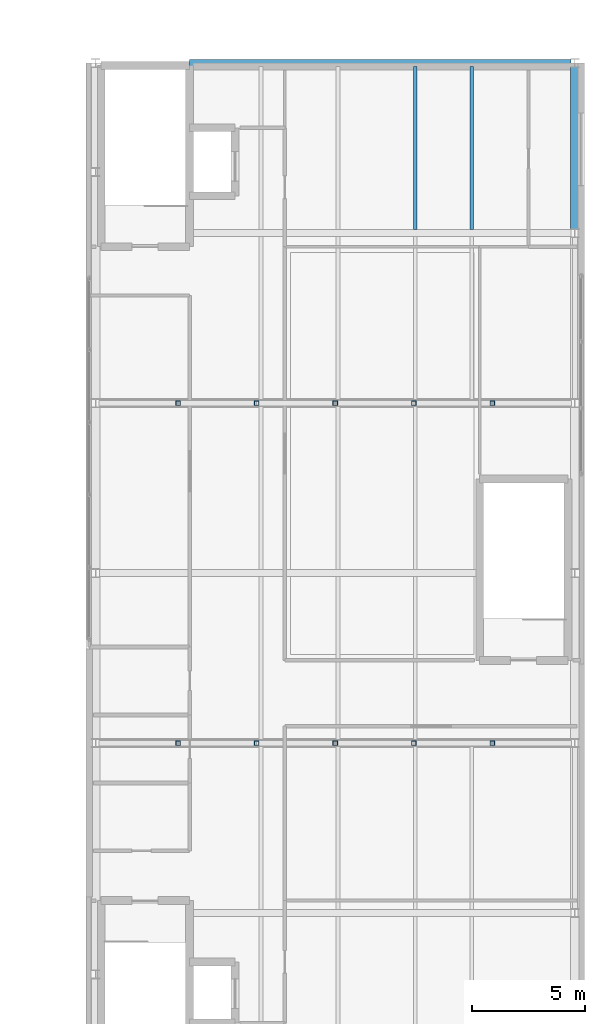
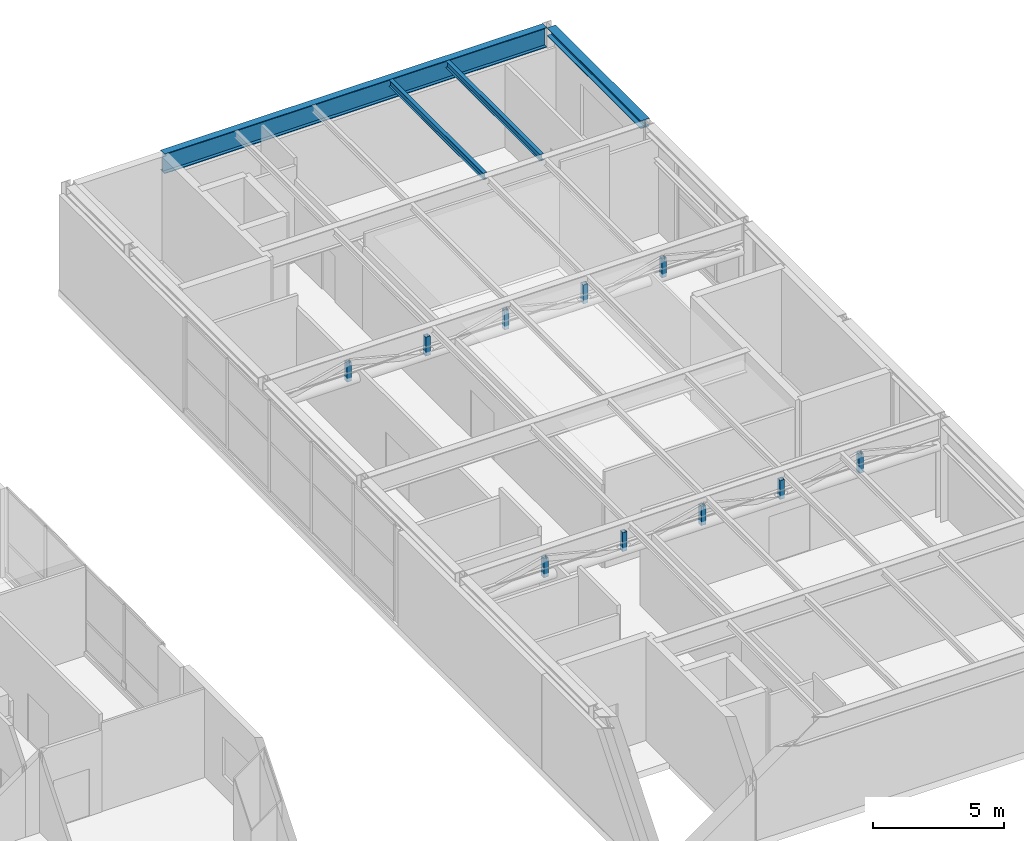
# One storey, part 18 of 27: 10 members, 4 beams.
"""IFC4 building model written with IfcOpenShell, lengths in metres."""

from ifc_helpers import new_model, si_unit, direction, frame, origin, origin_2d, place, context, subcontext, project, spatial, hollow_rectangle, i_section, extrude, material, material_profile, profile_set, type_object, element, save


model = new_model("IFC4")

# Units and contexts
model_context = context("Model", 3, precision=1e-05, world=origin(), true_north=direction((0.0, 1.0)))
body_context = subcontext(model_context, "Body", "Model", "MODEL_VIEW")
ifc_project = project(units=[si_unit("LENGTHUNIT", "METRE"), si_unit("AREAUNIT", "SQUARE_METRE"), si_unit("VOLUMEUNIT", "CUBIC_METRE"), si_unit("PLANEANGLEUNIT", "RADIAN"), si_unit("MASSUNIT", "GRAM", prefix="KILO")], contexts=[model_context])

# Site, building, storey
site_placement = place(None, origin())
site = spatial("IfcSite", under=ifc_project, at=site_placement, CompositionType="ELEMENT")
building_placement = place(site_placement, origin())
building = spatial("IfcBuilding", under=site, at=building_placement, Name="Mersakhor Tower and Convention Hall", CompositionType="ELEMENT")
storey_placement = place(building_placement, frame((0.0, 0.0, 14.39990234375)))
storey = spatial("IfcBuildingStorey", under=building, at=storey_placement, Name="L03", CompositionType="ELEMENT", Elevation=14.39990234375)

# Beams
ifc_material_1 = material(Name="Steel S355", Category="steel")
ifc_material_profile_1 = material_profile(ifc_material_1, i_section(OverallWidth=0.165771484375, OverallDepth=0.306640625, WebThickness=0.006591796875, FlangeThickness=0.01171875, at=origin_2d()), Name="UB 305x165x46")
ifc_profile_set_1 = profile_set([ifc_material_profile_1], Name="Steel S355")
beam_type_1 = type_object("IfcBeamType", Name="BM-JST-305", PredefinedType="JOIST", material=ifc_profile_set_1)
for number, where, z_axis, x_axis, name in (
    (1, (69.60009765625, 40.90380859375, 4.646728515625), (0.0, 1.0, 0.0), (-1.0, 0.0, 0.0), "Convention L03 Composite Floor Joist CJ-6-69"),
    (2, (72.10009765625, 40.90380859375, 4.646728515625), (0.0, 1.0, 0.0), (-1.0, 0.0, 0.0), "Convention L03 Composite Floor Joist CJ-6-72"),
):
    element("IfcBeam", number, at=place(storey_placement, frame(where, z_axis=z_axis, x_axis=x_axis)), inside=storey, type_object=beam_type_1, Name=name, PredefinedType="JOIST", context=body_context, shape_type="SweptSolid", body=[
        extrude(i_section(OverallWidth=0.165771484375, OverallDepth=0.306640625, WebThickness=0.006591796875, FlangeThickness=0.01171875, at=origin_2d()), origin(), (0.0, 0.0, 1.0), 7.1923828125),
    ])
ifc_material_2 = material(Name="Steel S355", Category="steel")
ifc_material_profile_2 = material_profile(ifc_material_2, i_section(OverallWidth=0.3076171875, OverallDepth=0.926513671875, WebThickness=0.01953125, FlangeThickness=0.031982421875, at=origin_2d()), Name="UB 914x305x289")
ifc_profile_set_2 = profile_set([ifc_material_profile_2], Name="Steel S355")
beam_type_2 = type_object("IfcBeamType", Name="BM-PR-914", PredefinedType="BEAM", material=ifc_profile_set_2)
beam_1_placement = place(storey_placement, frame((59.64990234375, 48.25, 4.3369140625), z_axis=(1.0, 0.0, 0.0), x_axis=(0.0, 1.0, 0.0)))
element("IfcBeam", 3, at=beam_1_placement, inside=storey, type_object=beam_type_2, Name="Convention L03 Clear-Span Girder CG-7", PredefinedType="BEAM", context=body_context, shape_type="SweptSolid", body=[
    extrude(i_section(OverallWidth=0.3076171875, OverallDepth=0.926513671875, WebThickness=0.01953125, FlangeThickness=0.031982421875, at=origin_2d()), origin(), (0.0, 0.0, 1.0), 16.820068359375),
])
ifc_material_3 = material(Name="Steel S355", Category="steel")
ifc_material_profile_3 = material_profile(ifc_material_3, i_section(OverallWidth=0.374755859375, OverallDepth=0.37451171875, WebThickness=0.0166015625, FlangeThickness=0.027099609375, at=origin_2d()), Name="UC 356x368x202")
ifc_profile_set_3 = profile_set([ifc_material_profile_3], Name="Steel S355")
beam_type_3 = type_object("IfcBeamType", Name="BM-SPD-UC356", PredefinedType="SPANDREL", material=ifc_profile_set_3)
beam_2_placement = place(storey_placement, frame((76.64990234375, 40.929931640625, 4.613037109375), z_axis=(0.0, 1.0, 0.0), x_axis=(-1.0, 0.0, 0.0)))
element("IfcBeam", 4, at=beam_2_placement, inside=storey, type_object=beam_type_3, Name="Convention L03 Edge Spandrel E6", PredefinedType="SPANDREL", context=body_context, shape_type="SweptSolid", body=[
    extrude(i_section(OverallWidth=0.374755859375, OverallDepth=0.37451171875, WebThickness=0.0166015625, FlangeThickness=0.027099609375, at=origin_2d()), origin(), (0.0, 0.0, 1.0), 7.14013671875),
])

# Members
ifc_material_4 = material(Name="Steel S355", Category="steel")
ifc_material_profile_4 = material_profile(ifc_material_4, hollow_rectangle(XDim=0.199951171875, YDim=0.199951171875, WallThickness=0.012451171875, at=origin_2d()), Name="SHS 200x200x12.5")
ifc_profile_set_4 = profile_set([ifc_material_profile_4], Name="Steel S355")
member_type = type_object("IfcMemberType", Name="MB-STR-SHS200", PredefinedType="STRUT", material=ifc_profile_set_4)
for number, where, z_axis, x_axis, name in (
    (5, (59.14501953125, 18.25, 3.4501953125), (0.0, 0.0, 1.0), (1.0, 0.0, 0.0), "Convention Truss Post TP-3-1"),
    (6, (62.610107421875, 18.25, 3.4501953125), (0.0, 0.0, 1.0), (1.0, 0.0, 0.0), "Convention Truss Post TP-3-2"),
    (7, (66.074951171875, 18.25, 3.4501953125), (0.0, 0.0, 1.0), (1.0, 0.0, 0.0), "Convention Truss Post TP-3-3"),
    (8, (69.5400390625, 18.25, 3.4501953125), (0.0, 0.0, 1.0), (1.0, 0.0, 0.0), "Convention Truss Post TP-3-4"),
    (9, (73.0048828125, 18.25, 3.4501953125), (0.0, 0.0, 1.0), (1.0, 0.0, 0.0), "Convention Truss Post TP-3-5"),
    (10, (59.14501953125, 33.25, 3.4501953125), (0.0, 0.0, 1.0), (1.0, 0.0, 0.0), "Convention Truss Post TP-5-1"),
    (11, (62.610107421875, 33.25, 3.4501953125), (0.0, 0.0, 1.0), (1.0, 0.0, 0.0), "Convention Truss Post TP-5-2"),
    (12, (66.074951171875, 33.25, 3.4501953125), (0.0, 0.0, 1.0), (1.0, 0.0, 0.0), "Convention Truss Post TP-5-3"),
    (13, (69.5400390625, 33.25, 3.4501953125), (0.0, 0.0, 1.0), (1.0, 0.0, 0.0), "Convention Truss Post TP-5-4"),
    (14, (73.0048828125, 33.25, 3.4501953125), (0.0, 0.0, 1.0), (1.0, 0.0, 0.0), "Convention Truss Post TP-5-5"),
):
    element("IfcMember", number, at=place(storey_placement, frame(where, z_axis=z_axis, x_axis=x_axis)), inside=storey, type_object=member_type, Name=name, PredefinedType="STRUT", context=body_context, shape_type="SweptSolid", body=[
        extrude(hollow_rectangle(XDim=0.199951171875, YDim=0.199951171875, WallThickness=0.012451171875, at=origin_2d()), origin(), (0.0, 0.0, 1.0), 0.88671875),
    ])

save(model, "model.ifc")
